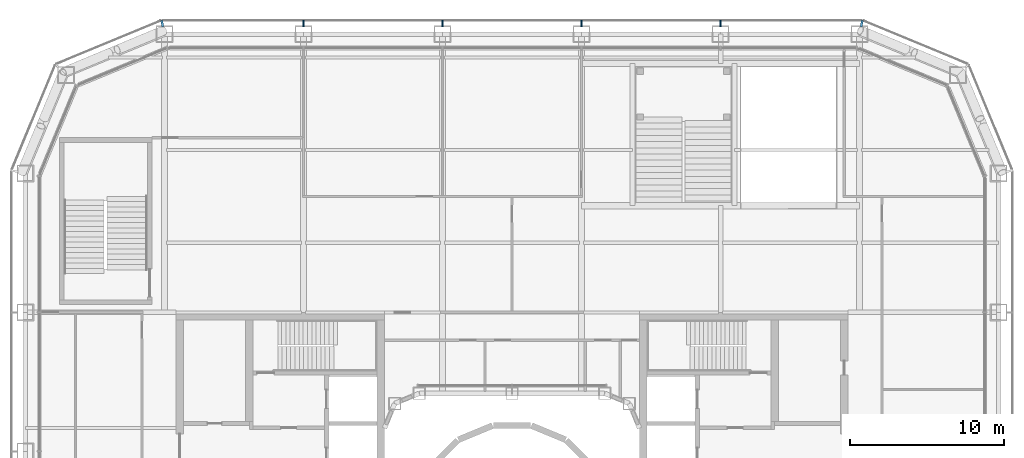
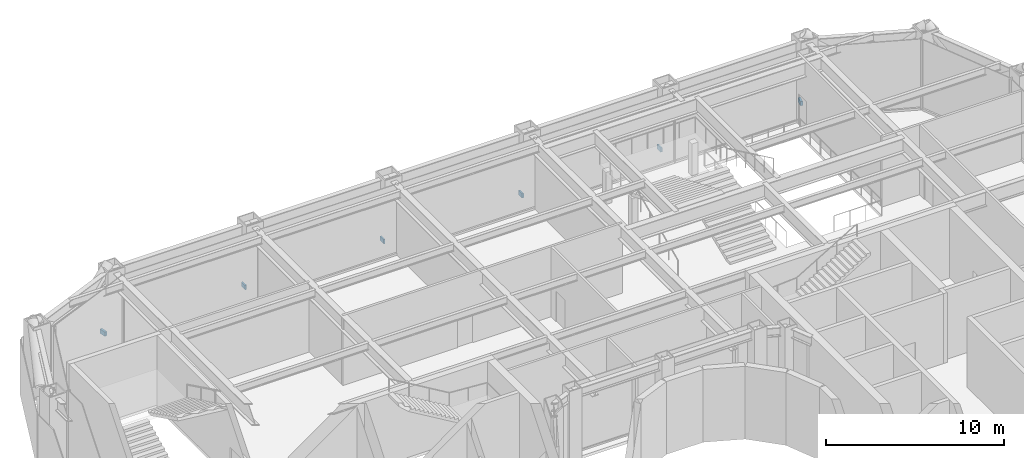
# One storey, part 20 of 25: 6 discrete accessories.
"""IFC4 building model written with IfcOpenShell, lengths in metres."""

from ifc_helpers import new_model, si_unit, direction, frame, origin, origin_2d, place, context, subcontext, project, spatial, rectangle, extrude, material, type_object, element, save


model = new_model("IFC4")

# Units and contexts
model_context = context("Model", 3, precision=1e-05, world=origin(), true_north=direction((0.0, 1.0)))
body_context = subcontext(model_context, "Body", "Model", "MODEL_VIEW")
ifc_project = project(units=[si_unit("LENGTHUNIT", "METRE"), si_unit("AREAUNIT", "SQUARE_METRE"), si_unit("VOLUMEUNIT", "CUBIC_METRE"), si_unit("PLANEANGLEUNIT", "RADIAN"), si_unit("MASSUNIT", "GRAM", prefix="KILO")], contexts=[model_context])

# Site, building, storey
site_placement = place(None, origin())
site = spatial("IfcSite", under=ifc_project, at=site_placement, CompositionType="ELEMENT")
building_placement = place(site_placement, origin())
building = spatial("IfcBuilding", under=site, at=building_placement, Name="Siwar Civic Tower", CompositionType="ELEMENT")
storey_placement = place(building_placement, frame((0.0, 0.0, 7.199951171875)))
storey = spatial("IfcBuildingStorey", under=building, at=storey_placement, Name="L01", CompositionType="ELEMENT", Elevation=7.199951171875)

# Discrete accessories
ifc_material = material(Name="Stainless steel 316", Category="steel")
discrete_accessory_type = type_object("IfcDiscreteAccessoryType", Name="ENV-BRACKET", PredefinedType="BRACKET", material=ifc_material)
for number, where, z_axis, x_axis, name in (
    (1, (13.5, 32.18994140625, -0.14990234375), (0.0, 0.0, 1.0), (0.0, 1.0, 0.0), "Bracket outer skin joint N-01"),
    (2, (4.5, 32.18994140625, -0.14990234375), (0.0, 0.0, 1.0), (0.0, 1.0, 0.0), "Bracket outer skin joint N-02"),
    (3, (-4.5, 32.18994140625, -0.14990234375), (0.0, 0.0, 1.0), (0.0, 1.0, 0.0), "Bracket outer skin joint N-03"),
    (4, (-13.5, 32.18994140625, -0.14990234375), (0.0, 0.0, 1.0), (0.0, 1.0, 0.0), "Bracket outer skin joint N-04"),
):
    element("IfcDiscreteAccessory", number, at=place(storey_placement, frame(where, z_axis=z_axis, x_axis=x_axis)), inside=storey, type_object=discrete_accessory_type, Name=name, PredefinedType="BRACKET", context=body_context, shape_type="SweptSolid", body=[
        extrude(rectangle(XDim=0.419921875, YDim=0.10009765625, at=origin_2d()), origin(), (0.0, 0.0, 1.0), 0.300048828125),
    ])
for number, where, z_axis, x_axis, name in (
    (5, (22.63720703125, 32.190185546875, -0.14990234375), (0.0, 0.0, 1.0), (0.195090322016, 0.980785280403, 0.0), "Bracket outer skin joint V06"),
    (6, (-22.63720703125, 32.190185546875, -0.14990234375), (0.0, 0.0, 1.0), (-0.195090322016, 0.980785280403, 0.0), "Bracket outer skin joint V07"),
):
    element("IfcDiscreteAccessory", number, at=place(storey_placement, frame(where, z_axis=z_axis, x_axis=x_axis)), inside=storey, type_object=discrete_accessory_type, Name=name, PredefinedType="BRACKET", context=body_context, shape_type="SweptSolid", body=[
        extrude(rectangle(XDim=0.427734375, YDim=0.13720703125, at=origin_2d()), origin(), (0.0, 0.0, 1.0), 0.300048828125),
    ])

save(model, "model.ifc")
